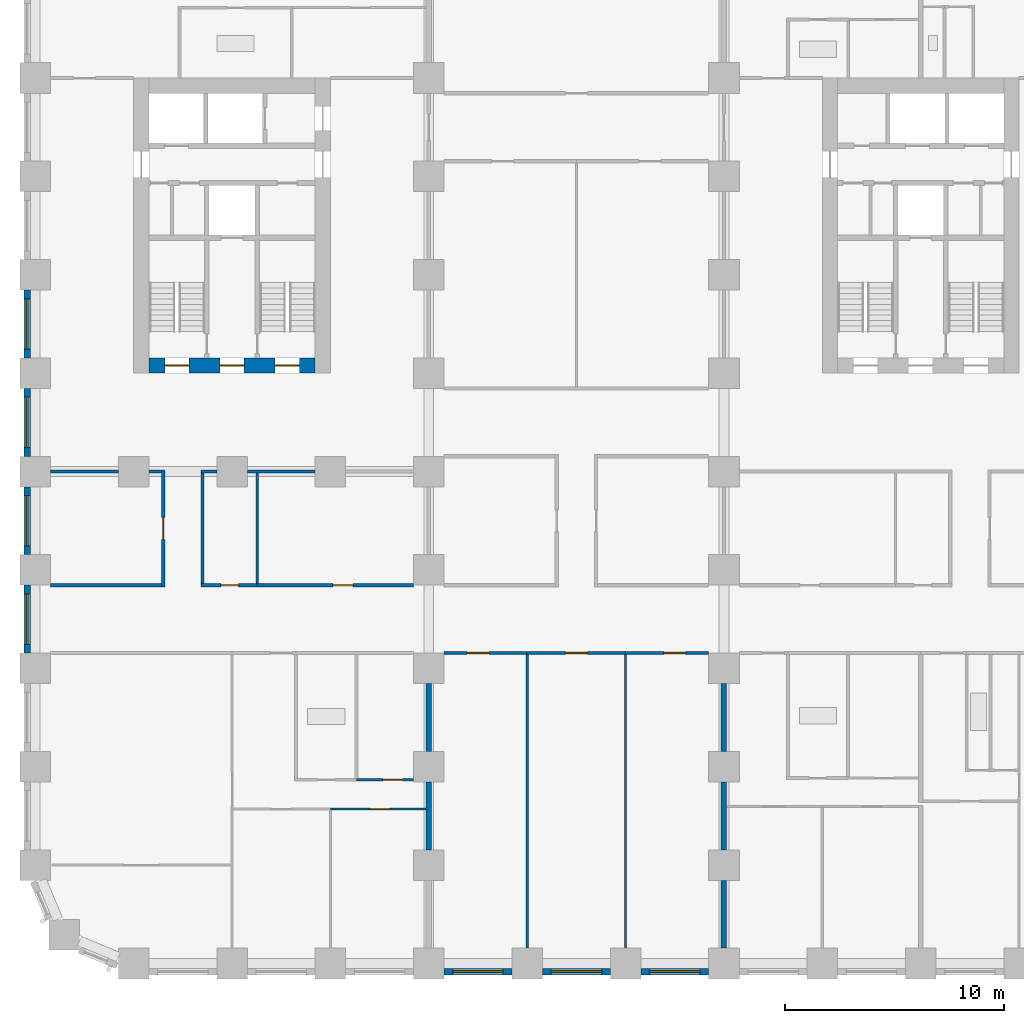
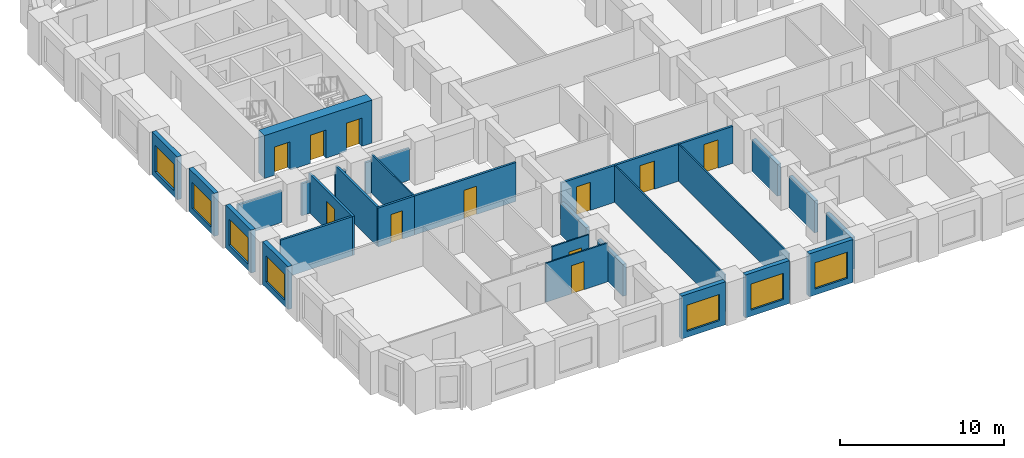
# One storey, part 3 of 12: 30 walls, 11 doors, 7 windows, 18 openings.
"""IFC4 building model written with IfcOpenShell, lengths in metres."""

import ifcopenshell
import ifcopenshell.guid

model = None  # the IFC model being written
_history = None  # IfcOwnerHistory: only IFC2X3 demands one
_inside = {}  # id of a spatial element -> (the spatial element, [elements in it])
_under = {}  # id of a project, library or spatial element -> (it, [spatial elements below it])
_declared = {}  # id of a project -> (the project, [libraries it declares])
_typed = {}  # id of a type object -> (the type object, [elements of that type])
_made_of = {}  # id of a material, layer set ... -> (it, [elements and type objects made of it])


def new_model(schema):
    """Start an empty IFC model of exactly this schema.

    Asked for "IFC4X3", IfcOpenShell would pick the latest addendum, in which some entities
    have other attributes; the version numbers below select the first issue.
    IFC2X3 requires an IfcOwnerHistory on every rooted entity: one is made here for all.
    """
    global model, _history
    if schema == "IFC4X3":
        model = ifcopenshell.file(schema_version=(4, 3, 0, 0))
    else:
        model = ifcopenshell.file(schema=schema)
    _inside.clear()
    _under.clear()
    _declared.clear()
    _typed.clear()
    _made_of.clear()
    _history = None
    if model.schema == "IFC2X3":
        org = make("IfcOrganization", Name="unknown")
        user = make(
            "IfcPersonAndOrganization",
            ThePerson=make("IfcPerson", FamilyName="unknown"),
            TheOrganization=org,
        )
        app = make(
            "IfcApplication",
            ApplicationDeveloper=org,
            Version="unknown",
            ApplicationFullName="unknown",
            ApplicationIdentifier="unknown",
        )
        _history = make(
            "IfcOwnerHistory",
            OwningUser=user,
            OwningApplication=app,
            ChangeAction="ADDED",
            CreationDate=0,
        )
    return model


def make(cls, **values):
    """One entity of the class cls with the attributes given. An attribute that is None is left unset."""
    return model.create_entity(
        cls, **{name: value for name, value in values.items() if value is not None}
    )


def rooted(cls, **values):
    """An entity with a GlobalId (a new one), such as an element, a storey or a relation."""
    return make(cls, GlobalId=ifcopenshell.guid.new(), OwnerHistory=_history, **values)


def si_unit(unit_type, name, prefix=None):
    """IfcSIUnit, for example si_unit("LENGTHUNIT", "METRE", prefix="MILLI")."""
    return make("IfcSIUnit", UnitType=unit_type, Prefix=prefix, Name=name)


def assignment(units):
    """IfcUnitAssignment: the units of a project."""
    return None if units is None else make("IfcUnitAssignment", Units=units)


def point(xyz):
    """IfcCartesianPoint."""
    return None if xyz is None else make("IfcCartesianPoint", Coordinates=xyz)


def direction(xyz):
    """IfcDirection."""
    return None if xyz is None else make("IfcDirection", DirectionRatios=xyz)


def frame(location, z_axis=None, x_axis=None):
    """IfcAxis2Placement3D, a coordinate frame: its origin and axes. An axis left out is left unset."""
    return make(
        "IfcAxis2Placement3D",
        Location=point(location),
        Axis=direction(z_axis),
        RefDirection=direction(x_axis),
    )


def frame_2d(location, x_axis=None):
    """IfcAxis2Placement2D, a coordinate frame in the plane: its origin and x axis."""
    return make(
        "IfcAxis2Placement2D", Location=point(location), RefDirection=direction(x_axis)
    )


def origin():
    """The frame at (0, 0, 0) with its axes left unset."""
    return frame((0.0, 0.0, 0.0))


def place(relative_to, where):
    """IfcLocalPlacement: puts the frame where relative to a parent placement (None: the world)."""
    return make(
        "IfcLocalPlacement", PlacementRelTo=relative_to, RelativePlacement=where
    )


def context(
    kind, dimensions, precision=None, world=None, true_north=None, identifier=None
):
    """IfcGeometricRepresentationContext, for example the 3D "Model" context."""
    return make(
        "IfcGeometricRepresentationContext",
        ContextIdentifier=identifier,
        ContextType=kind,
        CoordinateSpaceDimension=dimensions,
        Precision=precision,
        WorldCoordinateSystem=world,
        TrueNorth=true_north,
    )


def subcontext(parent, identifier, kind, view, scale=None):
    """IfcGeometricRepresentationSubContext, for example "Body" below "Model"."""
    return make(
        "IfcGeometricRepresentationSubContext",
        ContextIdentifier=identifier,
        ContextType=kind,
        ParentContext=parent,
        TargetScale=scale,
        TargetView=view,
    )


def project(units=None, contexts=None):
    """IfcProject with its units and contexts."""
    return rooted(
        "IfcProject",
        Name="project",
        RepresentationContexts=contexts,
        UnitsInContext=assignment(units),
    )


def spatial(cls, under=None, at=None, **own):
    """A site, building, storey or space (cls), placed at a placement, below another one or the project."""
    s = rooted(cls, ObjectPlacement=at, **own)
    if under is not None:
        _under.setdefault(under.id(), (under, []))[1].append(s)
    return s


def profile(cls, at=None, kind="AREA", **sizes):
    """A parametric profile (cls). Its sizes go by their IFC names, for example OverallWidth=200.0."""
    return make(cls, ProfileType=kind, Position=at, **sizes)


def rectangle(**sizes):
    """IfcRectangleProfileDef."""
    return profile("IfcRectangleProfileDef", **sizes)


def extrude(swept, where, along, depth):
    """IfcExtrudedAreaSolid: the profile swept, set in the frame where, extruded along a direction by depth."""
    return make(
        "IfcExtrudedAreaSolid",
        SweptArea=swept,
        Position=where,
        ExtrudedDirection=direction(along),
        Depth=depth,
    )


def shape(context_of_items, identifier, shape_type, items):
    """IfcShapeRepresentation: the items that make up one representation, for example the "Body"."""
    return make(
        "IfcShapeRepresentation",
        ContextOfItems=context_of_items,
        RepresentationIdentifier=identifier,
        RepresentationType=shape_type,
        Items=items,
    )


def material(Name=None, Category=None):
    """IfcMaterial."""
    return make("IfcMaterial", Name=Name, Category=Category)


def layer(
    of_material, thickness, ventilated=None, Name=None, Category=None, Priority=None
):
    """IfcMaterialLayer: one layer of a wall or slab, of a material (None: an air gap)."""
    return make(
        "IfcMaterialLayer",
        Material=of_material,
        LayerThickness=thickness,
        IsVentilated=ventilated,
        Name=Name,
        Category=Category,
        Priority=Priority,
    )


def layer_set(layers, Name=None):
    """IfcMaterialLayerSet."""
    return make("IfcMaterialLayerSet", MaterialLayers=layers, LayerSetName=Name)


def made_of(thing, what):
    """Note that an element or type object is made of a material, layer set ...; save() writes the relation."""
    if what is not None:
        _made_of.setdefault(what.id(), (what, []))[1].append(thing)
    return thing


def type_object(cls, material=None, **own):
    """A type object (cls), such as IfcWallType, which elements share."""
    return made_of(rooted(cls, **own), material)


def element(
    cls,
    number,
    at=None,
    inside=None,
    cuts=None,
    type_object=None,
    material=None,
    context=None,
    identifier="Body",
    shape_type=None,
    held_by="IfcProductDefinitionShape",
    body=None,
    shapes=None,
    **own,
):
    """One element of the class cls, such as IfcWall. Its Tag is "e" and its number.

    at: its placement. inside: the storey or other place that contains it. cuts: it is an
    opening in that element (IfcRelVoidsElement). A single representation is given by context,
    identifier, shape_type and body (its items); several are given by shapes. held_by: the class
    of the entity that holds the representations. save() writes the other relations.
    """
    e = rooted(cls, Tag="e%d" % number, ObjectPlacement=at, **own)
    if body is not None:
        shapes = [shape(context, identifier, shape_type, body)]
    if shapes is not None:
        e.Representation = make(held_by, Representations=shapes)
    if inside is not None:
        _inside.setdefault(inside.id(), (inside, []))[1].append(e)
    if cuts is not None:
        rooted(
            "IfcRelVoidsElement", RelatingBuildingElement=cuts, RelatedOpeningElement=e
        )
    if type_object is not None:
        _typed.setdefault(type_object.id(), (type_object, []))[1].append(e)
    return made_of(e, material)


def fill(opening, filler):
    """IfcRelFillsElement: the door or window that sits in an opening."""
    return rooted(
        "IfcRelFillsElement",
        RelatingOpeningElement=opening,
        RelatedBuildingElement=filler,
    )


def aggregate(whole, parts):
    """IfcRelAggregates: a whole, such as a stair, and the parts it consists of."""
    return rooted("IfcRelAggregates", RelatingObject=whole, RelatedObjects=parts)


def save(model, path):
    """Write the relations noted so far, then the file.

    IfcRelAggregates (storeys below a building ...), IfcRelContainedInSpatialStructure (elements
    in a storey), IfcRelDefinesByType, IfcRelAssociatesMaterial and IfcRelDeclares: one each for
    every whole, place, type object, material and project.
    """
    for whole, parts in _under.values():
        aggregate(whole, parts)
    for where, things in _inside.values():
        rooted(
            "IfcRelContainedInSpatialStructure",
            RelatedElements=things,
            RelatingStructure=where,
        )
    for kind, things in _typed.values():
        rooted("IfcRelDefinesByType", RelatedObjects=things, RelatingType=kind)
    for what, things in _made_of.values():
        rooted("IfcRelAssociatesMaterial", RelatedObjects=things, RelatingMaterial=what)
    for by, libraries in _declared.values():
        rooted("IfcRelDeclares", RelatingContext=by, RelatedDefinitions=libraries)
    model.write(path)


model = new_model("IFC4")

# Units and contexts
model_context = context("Model", 3, precision=1e-05, world=origin(), true_north=direction((0.0, 1.0)))
body_context = subcontext(model_context, "Body", "Model", "MODEL_VIEW")
ifc_project = project(units=[si_unit("LENGTHUNIT", "METRE"), si_unit("AREAUNIT", "SQUARE_METRE"), si_unit("VOLUMEUNIT", "CUBIC_METRE"), si_unit("PLANEANGLEUNIT", "RADIAN"), si_unit("MASSUNIT", "GRAM", prefix="KILO")], contexts=[model_context])

# Site, building, storey
site_placement = place(None, origin())
site = spatial("IfcSite", under=ifc_project, at=site_placement, CompositionType="ELEMENT")
building_placement = place(site_placement, origin())
building = spatial("IfcBuilding", under=site, at=building_placement, Name="Girih Gate Residences", CompositionType="ELEMENT")
storey_placement = place(building_placement, frame((0.0, 0.0, 30.39990234375)))
storey = spatial("IfcBuildingStorey", under=building, at=storey_placement, Name="L06", CompositionType="ELEMENT", Elevation=30.39990234375)

# Walls
ifc_material_1 = material(Name="Gypsum board on steel studs", Category="steel")
ifc_layer_1 = layer(ifc_material_1, 0.25)
ifc_layer_set_1 = layer_set([ifc_layer_1], Name="Acoustic separating wall 250 mm")
wall_type_1 = type_object("IfcWallType", Name="Acoustic separating wall 250 mm", PredefinedType="PARTITIONING", material=ifc_layer_set_1)
for number, where, z_axis, x_axis, name in (
    (1, (18.0, 5.199951171875, 0.0), (0.0, 0.0, 1.0), (0.0, 1.0, 0.0), "L06 partition"),
    (2, (18.0, 9.699951171875, 0.0), (0.0, 0.0, 1.0), (0.0, 1.0, 0.0), "L06 partition"),
    (3, (31.5, 9.699951171875, 0.0), (0.0, 0.0, 1.0), (0.0, 1.0, 0.0), "L06 partition"),
    (4, (31.5, 0.699951171875, 0.0), (0.0, 0.0, 1.0), (0.0, 1.0, 0.0), "L06 partition"),
    (5, (31.5, 5.199951171875, 0.0), (0.0, 0.0, 1.0), (0.0, 1.0, 0.0), "L06 partition"),
):
    element("IfcWall", number, at=place(storey_placement, frame(where, z_axis=z_axis, x_axis=x_axis)), inside=storey, type_object=wall_type_1, Name=name, PredefinedType="PARTITIONING", context=body_context, shape_type="SweptSolid", body=[
        extrude(rectangle(XDim=3.10009765625, YDim=0.25, at=frame_2d((1.550048828125, 0.0))), origin(), (0.0, 0.0, 1.0), 2.380126953125),
    ])

# Wall, opening, door
ifc_layer_2 = layer(ifc_material_1, 0.14990234375)
ifc_layer_set_2 = layer_set([ifc_layer_2], Name="Compartment wall 150 mm")
wall_type_2 = type_object("IfcWallType", Name="Compartment wall 150 mm", PredefinedType="PARTITIONING", material=ifc_layer_set_2)
wall_1_placement = place(storey_placement, frame((22.5, 14.199951171875, 0.0), z_axis=(0.0, 0.0, 1.0), x_axis=(-1.0, 0.0, 0.0)))
wall_1 = element("IfcWall", 6, at=wall_1_placement, inside=storey, type_object=wall_type_2, Name="L06 partition", PredefinedType="PARTITIONING", context=body_context, shape_type="SweptSolid", body=[
    extrude(rectangle(XDim=3.800048828125, YDim=0.14990234375, at=frame_2d((1.89990234375, 0.0))), origin(), (0.0, 0.0, 1.0), 2.75),
])
opening_1_placement = place(wall_1_placement, frame((1.75, 0.0, 0.0)))
opening_1 = element("IfcOpeningElement", 7, at=opening_1_placement, cuts=wall_1, Name="Opening A06-040", PredefinedType="OPENING", context=body_context, shape_type="SweptSolid", body=[
    extrude(rectangle(XDim=1.0, YDim=2.10009765625, at=frame_2d((0.5, 1.050048828125))), frame((0.0, 0.0849609375, 0.0), z_axis=(0.0, -1.0, 0.0), x_axis=(1.0, 0.0, 0.0)), (0.0, 0.0, 1.0), 0.169921875),
])
ifc_material_2 = material(Name="Timber, fire-rated core", Category="wood")
door_type_1 = type_object("IfcDoorType", Name="Amenity room door 1000x2100 FD30S", OperationType="NOTDEFINED", PredefinedType="DOOR", material=ifc_material_2)
door_1_placement = place(opening_1_placement, origin())
door_1 = element("IfcDoor", 8, at=door_1_placement, inside=storey, type_object=door_type_1, Name="Door A06-040", OperationType="SINGLE_SWING_RIGHT", OverallHeight=2.10009765625, OverallWidth=1.0, PredefinedType="DOOR", context=body_context, shape_type="SweptSolid", body=[
    extrude(rectangle(XDim=1.0, YDim=2.10009765625, at=frame_2d((0.5, 1.050048828125))), frame((0.0, 0.02490234375, 0.0), z_axis=(0.0, -1.0, 0.0), x_axis=(1.0, 0.0, 0.0)), (0.0, 0.0, 1.0), 0.050048828125),
])
fill(opening_1, door_1)

wall_2_placement = place(storey_placement, frame((27.0, 14.199951171875, 0.0), z_axis=(0.0, 0.0, 1.0), x_axis=(-1.0, 0.0, 0.0)))
wall_2 = element("IfcWall", 9, at=wall_2_placement, inside=storey, type_object=wall_type_2, Name="L06 partition", PredefinedType="PARTITIONING", context=body_context, shape_type="SweptSolid", body=[
    extrude(rectangle(XDim=4.5, YDim=0.14990234375, at=frame_2d((2.25, 0.0))), origin(), (0.0, 0.0, 1.0), 2.75),
])
opening_2_placement = place(wall_2_placement, frame((1.75, 0.0, 0.0)))
opening_2 = element("IfcOpeningElement", 10, at=opening_2_placement, cuts=wall_2, Name="Opening A06-041", PredefinedType="OPENING", context=body_context, shape_type="SweptSolid", body=[
    extrude(rectangle(XDim=1.0, YDim=2.10009765625, at=frame_2d((0.5, 1.050048828125))), frame((0.0, 0.0849609375, 0.0), z_axis=(0.0, -1.0, 0.0), x_axis=(1.0, 0.0, 0.0)), (0.0, 0.0, 1.0), 0.169921875),
])
door_2_placement = place(opening_2_placement, origin())
door_2 = element("IfcDoor", 11, at=door_2_placement, inside=storey, type_object=door_type_1, Name="Door A06-041", OperationType="SINGLE_SWING_RIGHT", OverallHeight=2.10009765625, OverallWidth=1.0, PredefinedType="DOOR", context=body_context, shape_type="SweptSolid", body=[
    extrude(rectangle(XDim=1.0, YDim=2.10009765625, at=frame_2d((0.5, 1.050048828125))), frame((0.0, 0.02490234375, 0.0), z_axis=(0.0, -1.0, 0.0), x_axis=(1.0, 0.0, 0.0)), (0.0, 0.0, 1.0), 0.050048828125),
])
fill(opening_2, door_2)

wall_3_placement = place(storey_placement, frame((30.800048828125, 14.199951171875, 0.0), z_axis=(0.0, 0.0, 1.0), x_axis=(-1.0, 0.0, 0.0)))
wall_3 = element("IfcWall", 12, at=wall_3_placement, inside=storey, type_object=wall_type_2, Name="L06 partition", PredefinedType="PARTITIONING", context=body_context, shape_type="SweptSolid", body=[
    extrude(rectangle(XDim=3.800048828125, YDim=0.14990234375, at=frame_2d((1.89990234375, 0.0))), origin(), (0.0, 0.0, 1.0), 2.75),
])
opening_3_placement = place(wall_3_placement, frame((1.050048828125, 0.0, 0.0)))
opening_3 = element("IfcOpeningElement", 13, at=opening_3_placement, cuts=wall_3, Name="Opening A06-042", PredefinedType="OPENING", context=body_context, shape_type="SweptSolid", body=[
    extrude(rectangle(XDim=1.0, YDim=2.10009765625, at=frame_2d((0.5, 1.050048828125))), frame((0.0, 0.0849609375, 0.0), z_axis=(0.0, -1.0, 0.0), x_axis=(1.0, 0.0, 0.0)), (0.0, 0.0, 1.0), 0.169921875),
])
door_3_placement = place(opening_3_placement, origin())
door_3 = element("IfcDoor", 14, at=door_3_placement, inside=storey, type_object=door_type_1, Name="Door A06-042", OperationType="SINGLE_SWING_LEFT", OverallHeight=2.10009765625, OverallWidth=1.0, PredefinedType="DOOR", context=body_context, shape_type="SweptSolid", body=[
    extrude(rectangle(XDim=1.0, YDim=2.10009765625, at=frame_2d((0.5, 1.050048828125))), frame((0.0, 0.02490234375, 0.0), z_axis=(0.0, -1.0, 0.0), x_axis=(1.0, 0.0, 0.0)), (0.0, 0.0, 1.0), 0.050048828125),
])
fill(opening_3, door_3)

wall_4_placement = place(storey_placement, frame((10.14990234375, 17.300048828125, 0.0), z_axis=(0.0, 0.0, 1.0), x_axis=(1.0, 0.0, 0.0)))
wall_4 = element("IfcWall", 15, at=wall_4_placement, inside=storey, type_object=wall_type_2, Name="L06 partition", PredefinedType="PARTITIONING", context=body_context, shape_type="SweptSolid", body=[
    extrude(rectangle(XDim=7.150146484375, YDim=0.14990234375, at=frame_2d((3.5751953125, 0.0))), origin(), (0.0, 0.0, 1.0), 2.900146484375),
])
opening_4_placement = place(wall_4_placement, frame((3.47509765625, 0.0, 0.0)))
opening_4 = element("IfcOpeningElement", 16, at=opening_4_placement, cuts=wall_4, Name="Opening A06-046", PredefinedType="OPENING", context=body_context, shape_type="SweptSolid", body=[
    extrude(rectangle(XDim=0.89990234375, YDim=2.10009765625, at=frame_2d((0.449951171875, 1.050048828125))), frame((0.0, 0.0849609375, 0.0), z_axis=(0.0, -1.0, 0.0), x_axis=(1.0, 0.0, 0.0)), (0.0, 0.0, 1.0), 0.169921875),
])
ifc_material_3 = material(Name="Timber", Category="wood")
door_type_2 = type_object("IfcDoorType", Name="Service room door 900x2100", OperationType="NOTDEFINED", PredefinedType="DOOR", material=ifc_material_3)
door_4_placement = place(opening_4_placement, origin())
door_4 = element("IfcDoor", 17, at=door_4_placement, inside=storey, type_object=door_type_2, Name="Door A06-046", OperationType="SINGLE_SWING_RIGHT", OverallHeight=2.10009765625, OverallWidth=0.89990234375, PredefinedType="DOOR", context=body_context, shape_type="SweptSolid", body=[
    extrude(rectangle(XDim=0.89990234375, YDim=2.10009765625, at=frame_2d((0.449951171875, 1.050048828125))), frame((0.0, 0.02490234375, 0.0), z_axis=(0.0, -1.0, 0.0), x_axis=(1.0, 0.0, 0.0)), (0.0, 0.0, 1.0), 0.050048828125),
])
fill(opening_4, door_4)

wall_5_placement = place(storey_placement, frame((7.574951171875, 17.300048828125, 0.0), z_axis=(0.0, 0.0, 1.0), x_axis=(1.0, 0.0, 0.0)))
wall_5 = element("IfcWall", 18, at=wall_5_placement, inside=storey, type_object=wall_type_2, Name="L06 partition", PredefinedType="PARTITIONING", context=body_context, shape_type="SweptSolid", body=[
    extrude(rectangle(XDim=2.574951171875, YDim=0.14990234375, at=frame_2d((1.28759765625, 0.0))), origin(), (0.0, 0.0, 1.0), 2.900146484375),
])
opening_5_placement = place(wall_5_placement, frame((0.925048828125, 0.0, 0.0)))
opening_5 = element("IfcOpeningElement", 19, at=opening_5_placement, cuts=wall_5, Name="Opening A06-048", PredefinedType="OPENING", context=body_context, shape_type="SweptSolid", body=[
    extrude(rectangle(XDim=0.800048828125, YDim=2.10009765625, at=frame_2d((0.39990234375, 1.050048828125))), frame((0.0, 0.0849609375, 0.0), z_axis=(0.0, -1.0, 0.0), x_axis=(1.0, 0.0, 0.0)), (0.0, 0.0, 1.0), 0.169921875),
])
door_type_3 = type_object("IfcDoorType", Name="Bathroom door 800x2100", OperationType="NOTDEFINED", PredefinedType="DOOR", material=ifc_material_3)
door_5_placement = place(opening_5_placement, origin())
door_5 = element("IfcDoor", 20, at=door_5_placement, inside=storey, type_object=door_type_3, Name="Door A06-048", OperationType="SINGLE_SWING_RIGHT", OverallHeight=2.10009765625, OverallWidth=0.800048828125, PredefinedType="DOOR", context=body_context, shape_type="SweptSolid", body=[
    extrude(rectangle(XDim=0.800048828125, YDim=2.10009765625, at=frame_2d((0.39990234375, 1.050048828125))), frame((0.0, 0.02490234375, 0.0), z_axis=(0.0, -1.0, 0.0), x_axis=(1.0, 0.0, 0.0)), (0.0, 0.0, 1.0), 0.050048828125),
])
fill(opening_5, door_5)

# Walls
wall_6_placement = place(storey_placement, frame((0.699951171875, 17.300048828125, 0.0), z_axis=(0.0, 0.0, 1.0), x_axis=(1.0, 0.0, 0.0)))
element("IfcWall", 21, at=wall_6_placement, inside=storey, type_object=wall_type_2, Name="L06 partition", PredefinedType="PARTITIONING", context=body_context, shape_type="SweptSolid", body=[
    extrude(rectangle(XDim=5.074951171875, YDim=0.14990234375, at=frame_2d((2.53759765625, 0.0))), origin(), (0.0, 0.0, 1.0), 2.900146484375),
])
wall_7_placement = place(storey_placement, frame((9.699951171875, 22.5, 0.0), z_axis=(0.0, 0.0, 1.0), x_axis=(1.0, 0.0, 0.0)))
element("IfcWall", 22, at=wall_7_placement, inside=storey, type_object=wall_type_2, Name="L06 partition", PredefinedType="PARTITIONING", context=body_context, shape_type="SweptSolid", body=[
    extrude(rectangle(XDim=3.10009765625, YDim=0.14990234375, at=frame_2d((1.550048828125, 0.0))), origin(), (0.0, 0.0, 1.0), 2.380126953125),
])
wall_8_placement = place(storey_placement, frame((7.574951171875, 22.5, 0.0), z_axis=(0.0, 0.0, 1.0), x_axis=(1.0, 0.0, 0.0)))
element("IfcWall", 23, at=wall_8_placement, inside=storey, type_object=wall_type_2, Name="L06 partition", PredefinedType="PARTITIONING", context=body_context, shape_type="SweptSolid", body=[
    extrude(rectangle(XDim=0.72509765625, YDim=0.14990234375, at=frame_2d((0.362548828125, 0.0))), origin(), (0.0, 0.0, 1.0), 2.380126953125),
])
wall_9_placement = place(storey_placement, frame((5.199951171875, 22.5, 0.0), z_axis=(0.0, 0.0, 1.0), x_axis=(1.0, 0.0, 0.0)))
element("IfcWall", 24, at=wall_9_placement, inside=storey, type_object=wall_type_2, Name="L06 partition", PredefinedType="PARTITIONING", context=body_context, shape_type="SweptSolid", body=[
    extrude(rectangle(XDim=0.574951171875, YDim=0.14990234375, at=frame_2d((0.28759765625, 0.0))), origin(), (0.0, 0.0, 1.0), 2.380126953125),
])
wall_10_placement = place(storey_placement, frame((0.699951171875, 22.5, 0.0), z_axis=(0.0, 0.0, 1.0), x_axis=(1.0, 0.0, 0.0)))
element("IfcWall", 25, at=wall_10_placement, inside=storey, type_object=wall_type_2, Name="L06 partition", PredefinedType="PARTITIONING", context=body_context, shape_type="SweptSolid", body=[
    extrude(rectangle(XDim=3.10009765625, YDim=0.14990234375, at=frame_2d((1.550048828125, 0.0))), origin(), (0.0, 0.0, 1.0), 2.380126953125),
])
wall_11_placement = place(storey_placement, frame((7.64990234375, 17.375, 0.0), z_axis=(0.0, 0.0, 1.0), x_axis=(0.0, 1.0, 0.0)))
element("IfcWall", 26, at=wall_11_placement, inside=storey, type_object=wall_type_2, Name="L06 partition", PredefinedType="PARTITIONING", context=body_context, shape_type="SweptSolid", body=[
    extrude(rectangle(XDim=5.050048828125, YDim=0.14990234375, at=frame_2d((2.52490234375, 0.0))), origin(), (0.0, 0.0, 1.0), 2.900146484375),
])

# Wall, opening, door
wall_12_placement = place(storey_placement, frame((5.85009765625, 17.22509765625, 0.0), z_axis=(0.0, 0.0, 1.0), x_axis=(0.0, 1.0, 0.0)))
wall_12 = element("IfcWall", 27, at=wall_12_placement, inside=storey, type_object=wall_type_2, Name="L06 partition", PredefinedType="PARTITIONING", context=body_context, shape_type="SweptSolid", body=[
    extrude(rectangle(XDim=5.349853515625, YDim=0.14990234375, at=frame_2d((2.6748046875, 0.0))), origin(), (0.0, 0.0, 1.0), 2.900146484375),
])
opening_6_placement = place(wall_12_placement, frame((2.175048828125, 0.0, 0.0)))
opening_6 = element("IfcOpeningElement", 28, at=opening_6_placement, cuts=wall_12, Name="Opening A06-050", PredefinedType="OPENING", context=body_context, shape_type="SweptSolid", body=[
    extrude(rectangle(XDim=1.0, YDim=2.10009765625, at=frame_2d((0.5, 1.050048828125))), frame((0.0, 0.0849609375, 0.0), z_axis=(0.0, -1.0, 0.0), x_axis=(1.0, 0.0, 0.0)), (0.0, 0.0, 1.0), 0.169921875),
])
door_6_placement = place(opening_6_placement, origin())
door_6 = element("IfcDoor", 29, at=door_6_placement, inside=storey, type_object=door_type_1, Name="Door A06-050", OperationType="SINGLE_SWING_LEFT", OverallHeight=2.10009765625, OverallWidth=1.0, PredefinedType="DOOR", context=body_context, shape_type="SweptSolid", body=[
    extrude(rectangle(XDim=1.0, YDim=2.10009765625, at=frame_2d((0.5, 1.050048828125))), frame((0.0, 0.02490234375, 0.0), z_axis=(0.0, -1.0, 0.0), x_axis=(1.0, 0.0, 0.0)), (0.0, 0.0, 1.0), 0.050048828125),
])
fill(opening_6, door_6)

# Wall, openings, doors
ifc_material_4 = material(Name="Concrete C60/75", Category="concrete")
ifc_layer_3 = layer(ifc_material_4, 0.699951171875)
ifc_layer_set_3 = layer_set([ifc_layer_3], Name="Core wall RC 700 Concrete C60/75")
wall_type_3 = type_object("IfcWallType", Name="Core wall RC 700 Concrete C60/75", PredefinedType="SOLIDWALL", material=ifc_layer_set_3)
wall_13_placement = place(storey_placement, frame((5.199951171875, 27.35009765625, 0.0), z_axis=(0.0, 0.0, 1.0), x_axis=(1.0, 0.0, 0.0)))
wall_13 = element("IfcWall", 30, at=wall_13_placement, inside=storey, type_object=wall_type_3, Name="Core wall W-S L06", PredefinedType="SOLIDWALL", context=body_context, shape_type="SweptSolid", body=[
    extrude(rectangle(XDim=7.60009765625, YDim=0.699951171875, at=frame_2d((3.800048828125, 0.0))), origin(), (0.0, 0.0, 1.0), 3.2001953125),
])
opening_7_placement = place(wall_13_placement, frame((0.72509765625, 0.0, 0.0)))
opening_7 = element("IfcOpeningElement", 31, at=opening_7_placement, cuts=wall_13, Name="Opening D-L06-W-009", PredefinedType="OPENING", context=body_context, shape_type="SweptSolid", body=[
    extrude(rectangle(XDim=1.10009765625, YDim=2.10009765625, at=frame_2d((0.550048828125, 1.050048828125))), frame((0.0, 0.35986328125, 0.0), z_axis=(0.0, -1.0, 0.0), x_axis=(1.0, 0.0, 0.0)), (0.0, 0.0, 1.0), 0.719970703125),
])
opening_8_placement = place(wall_13_placement, frame((3.25, 0.0, 0.0)))
opening_8 = element("IfcOpeningElement", 32, at=opening_8_placement, cuts=wall_13, Name="Opening D-L06-W-010", PredefinedType="OPENING", context=body_context, shape_type="SweptSolid", body=[
    extrude(rectangle(XDim=1.10009765625, YDim=2.10009765625, at=frame_2d((0.550048828125, 1.050048828125))), frame((0.0, 0.35986328125, 0.0), z_axis=(0.0, -1.0, 0.0), x_axis=(1.0, 0.0, 0.0)), (0.0, 0.0, 1.0), 0.719970703125),
])
opening_9_placement = place(wall_13_placement, frame((5.77490234375, 0.0, 0.0)))
opening_9 = element("IfcOpeningElement", 33, at=opening_9_placement, cuts=wall_13, Name="Opening D-L06-W-011", PredefinedType="OPENING", context=body_context, shape_type="SweptSolid", body=[
    extrude(rectangle(XDim=1.10009765625, YDim=2.10009765625, at=frame_2d((0.550048828125, 1.050048828125))), frame((0.0, 0.35986328125, 0.0), z_axis=(0.0, -1.0, 0.0), x_axis=(1.0, 0.0, 0.0)), (0.0, 0.0, 1.0), 0.719970703125),
])
ifc_material_5 = material(Name="Painted steel, fire-resisting", Category="steel")
door_type_4 = type_object("IfcDoorType", Name="Fire door 1100x2100", OperationType="SINGLE_SWING_LEFT", PredefinedType="DOOR", material=ifc_material_5)
door_7_placement = place(opening_7_placement, origin())
door_7 = element("IfcDoor", 34, at=door_7_placement, inside=storey, type_object=door_type_4, Name="L06 W core door sta-out", OperationType="SINGLE_SWING_LEFT", OverallHeight=2.10009765625, OverallWidth=1.10009765625, PredefinedType="DOOR", context=body_context, shape_type="SweptSolid", body=[
    extrude(rectangle(XDim=1.10009765625, YDim=2.10009765625, at=frame_2d((0.550048828125, 1.050048828125))), frame((0.0, 0.02490234375, 0.0), z_axis=(0.0, -1.0, 0.0), x_axis=(1.0, 0.0, 0.0)), (0.0, 0.0, 1.0), 0.050048828125),
])
fill(opening_7, door_7)
door_8_placement = place(opening_8_placement, origin())
door_8 = element("IfcDoor", 35, at=door_8_placement, inside=storey, type_object=door_type_4, Name="L06 W core door ffl-out", OperationType="SINGLE_SWING_LEFT", OverallHeight=2.10009765625, OverallWidth=1.10009765625, PredefinedType="DOOR", context=body_context, shape_type="SweptSolid", body=[
    extrude(rectangle(XDim=1.10009765625, YDim=2.10009765625, at=frame_2d((0.550048828125, 1.050048828125))), frame((0.0, 0.02490234375, 0.0), z_axis=(0.0, -1.0, 0.0), x_axis=(1.0, 0.0, 0.0)), (0.0, 0.0, 1.0), 0.050048828125),
])
fill(opening_8, door_8)
door_9_placement = place(opening_9_placement, origin())
door_9 = element("IfcDoor", 36, at=door_9_placement, inside=storey, type_object=door_type_4, Name="L06 W core door stb-out", OperationType="SINGLE_SWING_LEFT", OverallHeight=2.10009765625, OverallWidth=1.10009765625, PredefinedType="DOOR", context=body_context, shape_type="SweptSolid", body=[
    extrude(rectangle(XDim=1.10009765625, YDim=2.10009765625, at=frame_2d((0.550048828125, 1.050048828125))), frame((0.0, 0.02490234375, 0.0), z_axis=(0.0, -1.0, 0.0), x_axis=(1.0, 0.0, 0.0)), (0.0, 0.0, 1.0), 0.050048828125),
])
fill(opening_9, door_9)

# Wall, opening, door
ifc_layer_4 = layer(ifc_material_1, 0.10009765625)
ifc_layer_set_4 = layer_set([ifc_layer_4], Name="Partition 100 mm")
wall_type_4 = type_object("IfcWallType", Name="Partition 100 mm", PredefinedType="PARTITIONING", material=ifc_layer_set_4)
wall_14_placement = place(storey_placement, frame((17.875, 7.06005859375, 0.0), z_axis=(0.0, 0.0, 1.0), x_axis=(-1.0, 0.0, 0.0)))
wall_14 = element("IfcWall", 37, at=wall_14_placement, inside=storey, type_object=wall_type_4, Name="L06 partition", PredefinedType="PARTITIONING", context=body_context, shape_type="SweptSolid", body=[
    extrude(rectangle(XDim=4.375, YDim=0.10009765625, at=frame_2d((2.1875, 0.0))), origin(), (0.0, 0.0, 1.0), 2.900146484375),
])
opening_10_placement = place(wall_14_placement, frame((1.675048828125, 0.0, 0.0)))
opening_10 = element("IfcOpeningElement", 38, at=opening_10_placement, cuts=wall_14, Name="Opening A06-003", PredefinedType="OPENING", context=body_context, shape_type="SweptSolid", body=[
    extrude(rectangle(XDim=0.89990234375, YDim=2.10009765625, at=frame_2d((0.449951171875, 1.050048828125))), frame((0.0, 0.06005859375, 0.0), z_axis=(0.0, -1.0, 0.0), x_axis=(1.0, 0.0, 0.0)), (0.0, 0.0, 1.0), 0.1201171875),
])
door_type_5 = type_object("IfcDoorType", Name="Bedroom door 900x2100", OperationType="NOTDEFINED", PredefinedType="DOOR", material=ifc_material_3)
door_10_placement = place(opening_10_placement, origin())
door_10 = element("IfcDoor", 39, at=door_10_placement, inside=storey, type_object=door_type_5, Name="Door A06-003", OperationType="SINGLE_SWING_LEFT", OverallHeight=2.10009765625, OverallWidth=0.89990234375, PredefinedType="DOOR", context=body_context, shape_type="SweptSolid", body=[
    extrude(rectangle(XDim=0.89990234375, YDim=2.10009765625, at=frame_2d((0.449951171875, 1.050048828125))), frame((0.0, 0.02490234375, 0.0), z_axis=(0.0, -1.0, 0.0), x_axis=(1.0, 0.0, 0.0)), (0.0, 0.0, 1.0), 0.050048828125),
])
fill(opening_10, door_10)

wall_15_placement = place(storey_placement, frame((14.6904296875, 8.39990234375, 0.0), z_axis=(0.0, 0.0, 1.0), x_axis=(1.0, 0.0, 0.0)))
wall_15 = element("IfcWall", 40, at=wall_15_placement, inside=storey, type_object=wall_type_4, Name="L06 partition", PredefinedType="PARTITIONING", context=body_context, shape_type="SweptSolid", body=[
    extrude(rectangle(XDim=2.609619140625, YDim=0.10009765625, at=frame_2d((1.3046875, 0.0))), origin(), (0.0, 0.0, 1.0), 2.900146484375),
])
opening_11_placement = place(wall_15_placement, frame((1.20458984375, 0.0, 0.0)))
opening_11 = element("IfcOpeningElement", 41, at=opening_11_placement, cuts=wall_15, Name="Opening A06-006", PredefinedType="OPENING", context=body_context, shape_type="SweptSolid", body=[
    extrude(rectangle(XDim=0.89990234375, YDim=2.10009765625, at=frame_2d((0.449951171875, 1.050048828125))), frame((0.0, 0.06005859375, 0.0), z_axis=(0.0, -1.0, 0.0), x_axis=(1.0, 0.0, 0.0)), (0.0, 0.0, 1.0), 0.1201171875),
])
door_type_6 = type_object("IfcDoorType", Name="Kitchen door 900x2100", OperationType="NOTDEFINED", PredefinedType="DOOR", material=ifc_material_3)
door_11_placement = place(opening_11_placement, origin())
door_11 = element("IfcDoor", 42, at=door_11_placement, inside=storey, type_object=door_type_6, Name="Door A06-006", OperationType="SINGLE_SWING_RIGHT", OverallHeight=2.10009765625, OverallWidth=0.89990234375, PredefinedType="DOOR", context=body_context, shape_type="SweptSolid", body=[
    extrude(rectangle(XDim=0.89990234375, YDim=2.10009765625, at=frame_2d((0.449951171875, 1.050048828125))), frame((0.0, 0.02490234375, 0.0), z_axis=(0.0, -1.0, 0.0), x_axis=(1.0, 0.0, 0.0)), (0.0, 0.0, 1.0), 0.050048828125),
])
fill(opening_11, door_11)

# Walls
for number, where, z_axis, x_axis, name in (
    (43, (22.5, 0.699951171875, 0.0), (0.0, 0.0, 1.0), (0.0, 1.0, 0.0), "L06 partition"),
    (44, (27.0, 0.699951171875, 0.0), (0.0, 0.0, 1.0), (0.0, 1.0, 0.0), "L06 partition"),
):
    element("IfcWall", number, at=place(storey_placement, frame(where, z_axis=z_axis, x_axis=x_axis)), inside=storey, type_object=wall_type_4, Name=name, PredefinedType="PARTITIONING", context=body_context, shape_type="SweptSolid", body=[
        extrude(rectangle(XDim=13.425048828125, YDim=0.10009765625, at=frame_2d((6.71240234375, 0.0))), origin(), (0.0, 0.0, 1.0), 2.75),
    ])
wall_16_placement = place(storey_placement, frame((10.14990234375, 17.375, 0.0), z_axis=(0.0, 0.0, 1.0), x_axis=(0.0, 1.0, 0.0)))
element("IfcWall", 45, at=wall_16_placement, inside=storey, type_object=wall_type_4, Name="L06 partition", PredefinedType="PARTITIONING", context=body_context, shape_type="SweptSolid", body=[
    extrude(rectangle(XDim=5.050048828125, YDim=0.10009765625, at=frame_2d((2.52490234375, 0.0))), origin(), (0.0, 0.0, 1.0), 2.900146484375),
])

# Wall, opening, window
ifc_material_6 = material(Name="Precast concrete C50/60", Category="concrete")
ifc_layer_5 = layer(ifc_material_6, 0.080078125, Name="Outer leaf")
ifc_material_7 = material(Name="Rigid PIR insulation")
ifc_layer_6 = layer(ifc_material_7, 0.14990234375, Name="Insulation")
ifc_material_8 = material(Name="Precast concrete C40/50", Category="concrete")
ifc_layer_7 = layer(ifc_material_8, 0.070068359375, Name="Inner leaf")
ifc_layer_set_5 = layer_set([ifc_layer_5, ifc_layer_6, ifc_layer_7], Name="Precast concrete C50/60 external wall 300")
wall_type_5 = type_object("IfcWallType", Name="Precast concrete C50/60 external wall 300", PredefinedType="SOLIDWALL", material=ifc_layer_set_5)
wall_17_placement = place(storey_placement, frame((21.800048828125, -0.375, 0.0), z_axis=(0.0, 0.0, 1.0), x_axis=(-1.0, 0.0, 0.0)))
wall_17 = element("IfcWall", 46, at=wall_17_placement, inside=storey, type_object=wall_type_5, Name="External wall S0045_0000.3", PredefinedType="SOLIDWALL", context=body_context, shape_type="SweptSolid", body=[
    extrude(rectangle(XDim=3.10009765625, YDim=0.300048828125, at=frame_2d((1.550048828125, 0.0))), origin(), (0.0, 0.0, 1.0), 3.2001953125),
])
opening_12_placement = place(wall_17_placement, frame((0.39990234375, 0.0, 0.449951171875)))
opening_12 = element("IfcOpeningElement", 47, at=opening_12_placement, cuts=wall_17, Name="Opening W-1", PredefinedType="OPENING", context=body_context, shape_type="SweptSolid", body=[
    extrude(rectangle(XDim=2.300048828125, YDim=1.949951171875, at=frame_2d((1.14990234375, 0.97509765625))), frame((0.0, 0.159912109375, 0.0), z_axis=(0.0, -1.0, 0.0), x_axis=(1.0, 0.0, 0.0)), (0.0, 0.0, 1.0), 0.320068359375),
])
ifc_material_9 = material(Name="Double glazing in aluminium frame", Category="aluminium")
window_type = type_object("IfcWindowType", Name="Window W-1 2300x1950", PartitioningType="SINGLE_PANEL", PredefinedType="WINDOW", material=ifc_material_9)
window_1_placement = place(opening_12_placement, origin())
window_1 = element("IfcWindow", 48, at=window_1_placement, inside=storey, type_object=window_type, Name="Window W-1 S0045_0000.3", OverallHeight=1.949951171875, OverallWidth=2.300048828125, PartitioningType="SINGLE_PANEL", PredefinedType="WINDOW", context=body_context, shape_type="SweptSolid", body=[
    extrude(rectangle(XDim=2.300048828125, YDim=1.949951171875, at=frame_2d((1.14990234375, 0.97509765625))), frame((0.0, 0.030029296875, 0.0), z_axis=(0.0, -1.0, 0.0), x_axis=(1.0, 0.0, 0.0)), (0.0, 0.0, 1.0), 0.06005859375),
])
fill(opening_12, window_1)

wall_18_placement = place(storey_placement, frame((26.300048828125, -0.375, 0.0), z_axis=(0.0, 0.0, 1.0), x_axis=(-1.0, 0.0, 0.0)))
wall_18 = element("IfcWall", 49, at=wall_18_placement, inside=storey, type_object=wall_type_5, Name="External wall S0045_0000.4", PredefinedType="SOLIDWALL", context=body_context, shape_type="SweptSolid", body=[
    extrude(rectangle(XDim=3.10009765625, YDim=0.300048828125, at=frame_2d((1.550048828125, 0.0))), origin(), (0.0, 0.0, 1.0), 3.2001953125),
])
opening_13_placement = place(wall_18_placement, frame((0.39990234375, 0.0, 0.449951171875)))
opening_13 = element("IfcOpeningElement", 50, at=opening_13_placement, cuts=wall_18, Name="Opening W-1", PredefinedType="OPENING", context=body_context, shape_type="SweptSolid", body=[
    extrude(rectangle(XDim=2.300048828125, YDim=1.949951171875, at=frame_2d((1.14990234375, 0.97509765625))), frame((0.0, 0.159912109375, 0.0), z_axis=(0.0, -1.0, 0.0), x_axis=(1.0, 0.0, 0.0)), (0.0, 0.0, 1.0), 0.320068359375),
])
window_2_placement = place(opening_13_placement, origin())
window_2 = element("IfcWindow", 51, at=window_2_placement, inside=storey, type_object=window_type, Name="Window W-1 S0045_0000.4", OverallHeight=1.949951171875, OverallWidth=2.300048828125, PartitioningType="SINGLE_PANEL", PredefinedType="WINDOW", context=body_context, shape_type="SweptSolid", body=[
    extrude(rectangle(XDim=2.300048828125, YDim=1.949951171875, at=frame_2d((1.14990234375, 0.97509765625))), frame((0.0, 0.030029296875, 0.0), z_axis=(0.0, -1.0, 0.0), x_axis=(1.0, 0.0, 0.0)), (0.0, 0.0, 1.0), 0.06005859375),
])
fill(opening_13, window_2)

wall_19_placement = place(storey_placement, frame((30.800048828125, -0.375, 0.0), z_axis=(0.0, 0.0, 1.0), x_axis=(-1.0, 0.0, 0.0)))
wall_19 = element("IfcWall", 52, at=wall_19_placement, inside=storey, type_object=wall_type_5, Name="External wall S0045_0000.5", PredefinedType="SOLIDWALL", context=body_context, shape_type="SweptSolid", body=[
    extrude(rectangle(XDim=3.10009765625, YDim=0.300048828125, at=frame_2d((1.550048828125, 0.0))), origin(), (0.0, 0.0, 1.0), 3.2001953125),
])
opening_14_placement = place(wall_19_placement, frame((0.39990234375, 0.0, 0.449951171875)))
opening_14 = element("IfcOpeningElement", 53, at=opening_14_placement, cuts=wall_19, Name="Opening W-1", PredefinedType="OPENING", context=body_context, shape_type="SweptSolid", body=[
    extrude(rectangle(XDim=2.300048828125, YDim=1.949951171875, at=frame_2d((1.14990234375, 0.97509765625))), frame((0.0, 0.159912109375, 0.0), z_axis=(0.0, -1.0, 0.0), x_axis=(1.0, 0.0, 0.0)), (0.0, 0.0, 1.0), 0.320068359375),
])
window_3_placement = place(opening_14_placement, origin())
window_3 = element("IfcWindow", 54, at=window_3_placement, inside=storey, type_object=window_type, Name="Window W-1 S0045_0000.5", OverallHeight=1.949951171875, OverallWidth=2.300048828125, PartitioningType="SINGLE_PANEL", PredefinedType="WINDOW", context=body_context, shape_type="SweptSolid", body=[
    extrude(rectangle(XDim=2.300048828125, YDim=1.949951171875, at=frame_2d((1.14990234375, 0.97509765625))), frame((0.0, 0.030029296875, 0.0), z_axis=(0.0, -1.0, 0.0), x_axis=(1.0, 0.0, 0.0)), (0.0, 0.0, 1.0), 0.06005859375),
])
fill(opening_14, window_3)

wall_20_placement = place(storey_placement, frame((-0.375, 27.699951171875, 0.0), z_axis=(0.0, 0.0, 1.0), x_axis=(0.0, 1.0, 0.0)))
wall_20 = element("IfcWall", 55, at=wall_20_placement, inside=storey, type_object=wall_type_5, Name="External wall W0000_0450.3", PredefinedType="SOLIDWALL", context=body_context, shape_type="SweptSolid", body=[
    extrude(rectangle(XDim=3.10009765625, YDim=0.300048828125, at=frame_2d((1.550048828125, 0.0))), origin(), (0.0, 0.0, 1.0), 3.2001953125),
])
opening_15_placement = place(wall_20_placement, frame((0.39990234375, 0.0, 0.449951171875)))
opening_15 = element("IfcOpeningElement", 56, at=opening_15_placement, cuts=wall_20, Name="Opening W-1", PredefinedType="OPENING", context=body_context, shape_type="SweptSolid", body=[
    extrude(rectangle(XDim=2.300048828125, YDim=1.949951171875, at=frame_2d((1.14990234375, 0.97509765625))), frame((0.0, 0.159912109375, 0.0), z_axis=(0.0, -1.0, 0.0), x_axis=(1.0, 0.0, 0.0)), (0.0, 0.0, 1.0), 0.320068359375),
])
window_4_placement = place(opening_15_placement, origin())
window_4 = element("IfcWindow", 57, at=window_4_placement, inside=storey, type_object=window_type, Name="Window W-1 W0000_0450.3", OverallHeight=1.949951171875, OverallWidth=2.300048828125, PartitioningType="SINGLE_PANEL", PredefinedType="WINDOW", context=body_context, shape_type="SweptSolid", body=[
    extrude(rectangle(XDim=2.300048828125, YDim=1.949951171875, at=frame_2d((1.14990234375, 0.97509765625))), frame((0.0, 0.030029296875, 0.0), z_axis=(0.0, -1.0, 0.0), x_axis=(1.0, 0.0, 0.0)), (0.0, 0.0, 1.0), 0.06005859375),
])
fill(opening_15, window_4)

wall_21_placement = place(storey_placement, frame((-0.375, 23.199951171875, 0.0), z_axis=(0.0, 0.0, 1.0), x_axis=(0.0, 1.0, 0.0)))
wall_21 = element("IfcWall", 58, at=wall_21_placement, inside=storey, type_object=wall_type_5, Name="External wall W0000_0450.4", PredefinedType="SOLIDWALL", context=body_context, shape_type="SweptSolid", body=[
    extrude(rectangle(XDim=3.10009765625, YDim=0.300048828125, at=frame_2d((1.550048828125, 0.0))), origin(), (0.0, 0.0, 1.0), 3.2001953125),
])
opening_16_placement = place(wall_21_placement, frame((0.39990234375, 0.0, 0.449951171875)))
opening_16 = element("IfcOpeningElement", 59, at=opening_16_placement, cuts=wall_21, Name="Opening W-1", PredefinedType="OPENING", context=body_context, shape_type="SweptSolid", body=[
    extrude(rectangle(XDim=2.300048828125, YDim=1.949951171875, at=frame_2d((1.14990234375, 0.97509765625))), frame((0.0, 0.159912109375, 0.0), z_axis=(0.0, -1.0, 0.0), x_axis=(1.0, 0.0, 0.0)), (0.0, 0.0, 1.0), 0.320068359375),
])
window_5_placement = place(opening_16_placement, origin())
window_5 = element("IfcWindow", 60, at=window_5_placement, inside=storey, type_object=window_type, Name="Window W-1 W0000_0450.4", OverallHeight=1.949951171875, OverallWidth=2.300048828125, PartitioningType="SINGLE_PANEL", PredefinedType="WINDOW", context=body_context, shape_type="SweptSolid", body=[
    extrude(rectangle(XDim=2.300048828125, YDim=1.949951171875, at=frame_2d((1.14990234375, 0.97509765625))), frame((0.0, 0.030029296875, 0.0), z_axis=(0.0, -1.0, 0.0), x_axis=(1.0, 0.0, 0.0)), (0.0, 0.0, 1.0), 0.06005859375),
])
fill(opening_16, window_5)

wall_22_placement = place(storey_placement, frame((-0.375, 18.699951171875, 0.0), z_axis=(0.0, 0.0, 1.0), x_axis=(0.0, 1.0, 0.0)))
wall_22 = element("IfcWall", 61, at=wall_22_placement, inside=storey, type_object=wall_type_5, Name="External wall W0000_0450.5", PredefinedType="SOLIDWALL", context=body_context, shape_type="SweptSolid", body=[
    extrude(rectangle(XDim=3.10009765625, YDim=0.300048828125, at=frame_2d((1.550048828125, 0.0))), origin(), (0.0, 0.0, 1.0), 3.2001953125),
])
opening_17_placement = place(wall_22_placement, frame((0.39990234375, 0.0, 0.449951171875)))
opening_17 = element("IfcOpeningElement", 62, at=opening_17_placement, cuts=wall_22, Name="Opening W-1", PredefinedType="OPENING", context=body_context, shape_type="SweptSolid", body=[
    extrude(rectangle(XDim=2.300048828125, YDim=1.949951171875, at=frame_2d((1.14990234375, 0.97509765625))), frame((0.0, 0.159912109375, 0.0), z_axis=(0.0, -1.0, 0.0), x_axis=(1.0, 0.0, 0.0)), (0.0, 0.0, 1.0), 0.320068359375),
])
window_6_placement = place(opening_17_placement, origin())
window_6 = element("IfcWindow", 63, at=window_6_placement, inside=storey, type_object=window_type, Name="Window W-1 W0000_0450.5", OverallHeight=1.949951171875, OverallWidth=2.300048828125, PartitioningType="SINGLE_PANEL", PredefinedType="WINDOW", context=body_context, shape_type="SweptSolid", body=[
    extrude(rectangle(XDim=2.300048828125, YDim=1.949951171875, at=frame_2d((1.14990234375, 0.97509765625))), frame((0.0, 0.030029296875, 0.0), z_axis=(0.0, -1.0, 0.0), x_axis=(1.0, 0.0, 0.0)), (0.0, 0.0, 1.0), 0.06005859375),
])
fill(opening_17, window_6)

wall_23_placement = place(storey_placement, frame((-0.375, 14.199951171875, 0.0), z_axis=(0.0, 0.0, 1.0), x_axis=(0.0, 1.0, 0.0)))
wall_23 = element("IfcWall", 64, at=wall_23_placement, inside=storey, type_object=wall_type_5, Name="External wall W0000_0450.6", PredefinedType="SOLIDWALL", context=body_context, shape_type="SweptSolid", body=[
    extrude(rectangle(XDim=3.10009765625, YDim=0.300048828125, at=frame_2d((1.550048828125, 0.0))), origin(), (0.0, 0.0, 1.0), 3.2001953125),
])
opening_18_placement = place(wall_23_placement, frame((0.39990234375, 0.0, 0.449951171875)))
opening_18 = element("IfcOpeningElement", 65, at=opening_18_placement, cuts=wall_23, Name="Opening W-1", PredefinedType="OPENING", context=body_context, shape_type="SweptSolid", body=[
    extrude(rectangle(XDim=2.300048828125, YDim=1.949951171875, at=frame_2d((1.14990234375, 0.97509765625))), frame((0.0, 0.159912109375, 0.0), z_axis=(0.0, -1.0, 0.0), x_axis=(1.0, 0.0, 0.0)), (0.0, 0.0, 1.0), 0.320068359375),
])
window_7_placement = place(opening_18_placement, origin())
window_7 = element("IfcWindow", 66, at=window_7_placement, inside=storey, type_object=window_type, Name="Window W-1 W0000_0450.6", OverallHeight=1.949951171875, OverallWidth=2.300048828125, PartitioningType="SINGLE_PANEL", PredefinedType="WINDOW", context=body_context, shape_type="SweptSolid", body=[
    extrude(rectangle(XDim=2.300048828125, YDim=1.949951171875, at=frame_2d((1.14990234375, 0.97509765625))), frame((0.0, 0.030029296875, 0.0), z_axis=(0.0, -1.0, 0.0), x_axis=(1.0, 0.0, 0.0)), (0.0, 0.0, 1.0), 0.06005859375),
])
fill(opening_18, window_7)

save(model, "model.ifc")
